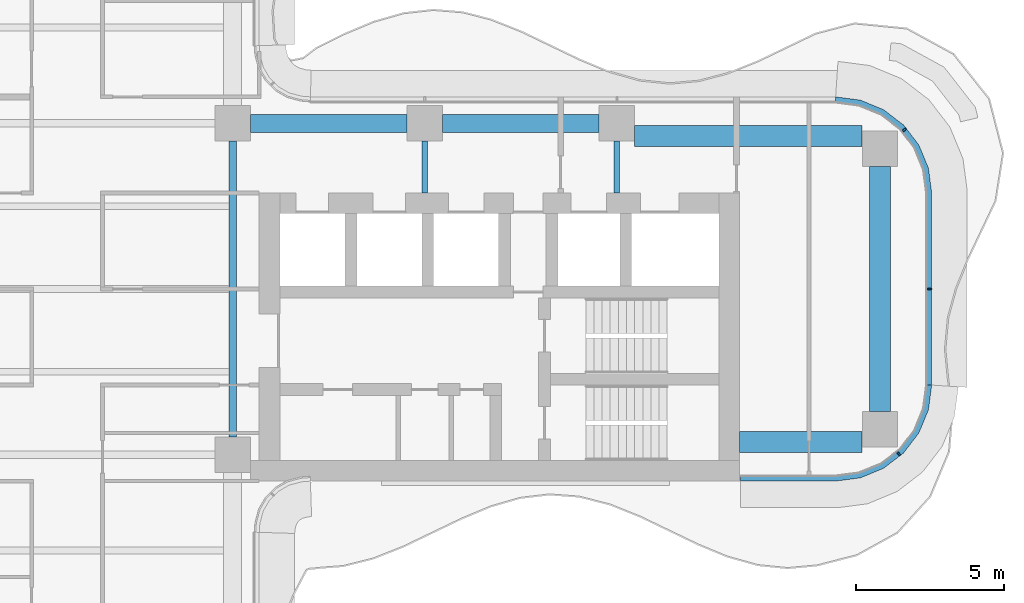
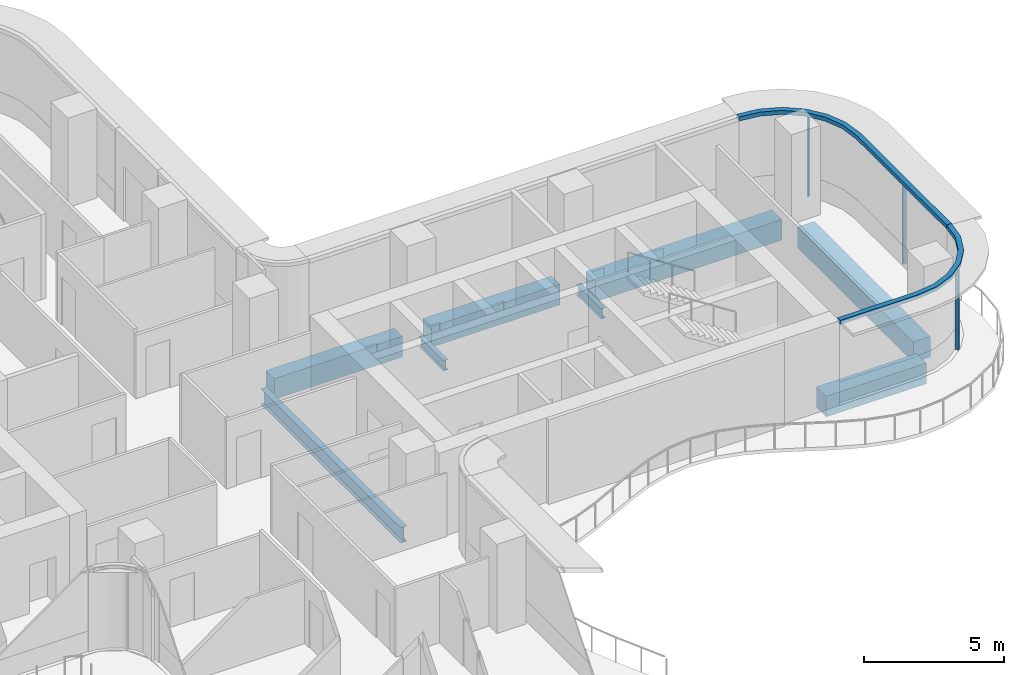
# One storey, part 6 of 17: 8 beams, 5 members, 2 elements without a shape of their own.
"""IFC4 building model written with IfcOpenShell, lengths in metres."""

import ifcopenshell
import ifcopenshell.guid

model = None  # the IFC model being written
_history = None  # IfcOwnerHistory: only IFC2X3 demands one
_inside = {}  # id of a spatial element -> (the spatial element, [elements in it])
_under = {}  # id of a project, library or spatial element -> (it, [spatial elements below it])
_declared = {}  # id of a project -> (the project, [libraries it declares])
_typed = {}  # id of a type object -> (the type object, [elements of that type])
_made_of = {}  # id of a material, layer set ... -> (it, [elements and type objects made of it])


def new_model(schema):
    """Start an empty IFC model of exactly this schema.

    Asked for "IFC4X3", IfcOpenShell would pick the latest addendum, in which some entities
    have other attributes; the version numbers below select the first issue.
    IFC2X3 requires an IfcOwnerHistory on every rooted entity: one is made here for all.
    """
    global model, _history
    if schema == "IFC4X3":
        model = ifcopenshell.file(schema_version=(4, 3, 0, 0))
    else:
        model = ifcopenshell.file(schema=schema)
    _inside.clear()
    _under.clear()
    _declared.clear()
    _typed.clear()
    _made_of.clear()
    _history = None
    if model.schema == "IFC2X3":
        org = make("IfcOrganization", Name="unknown")
        user = make(
            "IfcPersonAndOrganization",
            ThePerson=make("IfcPerson", FamilyName="unknown"),
            TheOrganization=org,
        )
        app = make(
            "IfcApplication",
            ApplicationDeveloper=org,
            Version="unknown",
            ApplicationFullName="unknown",
            ApplicationIdentifier="unknown",
        )
        _history = make(
            "IfcOwnerHistory",
            OwningUser=user,
            OwningApplication=app,
            ChangeAction="ADDED",
            CreationDate=0,
        )
    return model


def make(cls, **values):
    """One entity of the class cls with the attributes given. An attribute that is None is left unset."""
    return model.create_entity(
        cls, **{name: value for name, value in values.items() if value is not None}
    )


def rooted(cls, **values):
    """An entity with a GlobalId (a new one), such as an element, a storey or a relation."""
    return make(cls, GlobalId=ifcopenshell.guid.new(), OwnerHistory=_history, **values)


def si_unit(unit_type, name, prefix=None):
    """IfcSIUnit, for example si_unit("LENGTHUNIT", "METRE", prefix="MILLI")."""
    return make("IfcSIUnit", UnitType=unit_type, Prefix=prefix, Name=name)


def assignment(units):
    """IfcUnitAssignment: the units of a project."""
    return None if units is None else make("IfcUnitAssignment", Units=units)


def point(xyz):
    """IfcCartesianPoint."""
    return None if xyz is None else make("IfcCartesianPoint", Coordinates=xyz)


def direction(xyz):
    """IfcDirection."""
    return None if xyz is None else make("IfcDirection", DirectionRatios=xyz)


def frame(location, z_axis=None, x_axis=None):
    """IfcAxis2Placement3D, a coordinate frame: its origin and axes. An axis left out is left unset."""
    return make(
        "IfcAxis2Placement3D",
        Location=point(location),
        Axis=direction(z_axis),
        RefDirection=direction(x_axis),
    )


def frame_2d(location, x_axis=None):
    """IfcAxis2Placement2D, a coordinate frame in the plane: its origin and x axis."""
    return make(
        "IfcAxis2Placement2D", Location=point(location), RefDirection=direction(x_axis)
    )


def origin():
    """The frame at (0, 0, 0) with its axes left unset."""
    return frame((0.0, 0.0, 0.0))


def origin_2d():
    """The frame at (0, 0) in the plane with its x axis left unset."""
    return frame_2d((0.0, 0.0))


def place(relative_to, where):
    """IfcLocalPlacement: puts the frame where relative to a parent placement (None: the world)."""
    return make(
        "IfcLocalPlacement", PlacementRelTo=relative_to, RelativePlacement=where
    )


def context(
    kind, dimensions, precision=None, world=None, true_north=None, identifier=None
):
    """IfcGeometricRepresentationContext, for example the 3D "Model" context."""
    return make(
        "IfcGeometricRepresentationContext",
        ContextIdentifier=identifier,
        ContextType=kind,
        CoordinateSpaceDimension=dimensions,
        Precision=precision,
        WorldCoordinateSystem=world,
        TrueNorth=true_north,
    )


def subcontext(parent, identifier, kind, view, scale=None):
    """IfcGeometricRepresentationSubContext, for example "Body" below "Model"."""
    return make(
        "IfcGeometricRepresentationSubContext",
        ContextIdentifier=identifier,
        ContextType=kind,
        ParentContext=parent,
        TargetScale=scale,
        TargetView=view,
    )


def project(units=None, contexts=None):
    """IfcProject with its units and contexts."""
    return rooted(
        "IfcProject",
        Name="project",
        RepresentationContexts=contexts,
        UnitsInContext=assignment(units),
    )


def spatial(cls, under=None, at=None, **own):
    """A site, building, storey or space (cls), placed at a placement, below another one or the project."""
    s = rooted(cls, ObjectPlacement=at, **own)
    if under is not None:
        _under.setdefault(under.id(), (under, []))[1].append(s)
    return s


def polyline(points):
    """IfcPolyline through the points."""
    return make("IfcPolyline", Points=[point(p) for p in points])


def profile(cls, at=None, kind="AREA", **sizes):
    """A parametric profile (cls). Its sizes go by their IFC names, for example OverallWidth=200.0."""
    return make(cls, ProfileType=kind, Position=at, **sizes)


def rectangle(**sizes):
    """IfcRectangleProfileDef."""
    return profile("IfcRectangleProfileDef", **sizes)


def i_section(**sizes):
    """IfcIShapeProfileDef."""
    return profile("IfcIShapeProfileDef", **sizes)


def outline(outer, holes=None, kind="AREA"):
    """IfcArbitraryClosedProfileDef: a profile drawn as a closed curve; with holes, ...WithVoids."""
    if holes is None:
        return make("IfcArbitraryClosedProfileDef", ProfileType=kind, OuterCurve=outer)
    return make(
        "IfcArbitraryProfileDefWithVoids",
        ProfileType=kind,
        OuterCurve=outer,
        InnerCurves=holes,
    )


def extrude(swept, where, along, depth):
    """IfcExtrudedAreaSolid: the profile swept, set in the frame where, extruded along a direction by depth."""
    return make(
        "IfcExtrudedAreaSolid",
        SweptArea=swept,
        Position=where,
        ExtrudedDirection=direction(along),
        Depth=depth,
    )


def shape(context_of_items, identifier, shape_type, items):
    """IfcShapeRepresentation: the items that make up one representation, for example the "Body"."""
    return make(
        "IfcShapeRepresentation",
        ContextOfItems=context_of_items,
        RepresentationIdentifier=identifier,
        RepresentationType=shape_type,
        Items=items,
    )


def source(mapping_origin, context_of_items, identifier, shape_type, items):
    """IfcRepresentationMap: a shape defined once, which mapped items show again and again."""
    return make(
        "IfcRepresentationMap",
        MappingOrigin=mapping_origin,
        MappedRepresentation=shape(context_of_items, identifier, shape_type, items),
    )


def transform(
    local_origin,
    x_axis=None,
    y_axis=None,
    z_axis=None,
    scale=None,
    scale2=None,
    scale3=None,
    uniform=True,
):
    """IfcCartesianTransformationOperator3D, or its non-uniform kind. x_axis, y_axis, z_axis: its Axis1, 2, 3."""
    if uniform:
        return make(
            "IfcCartesianTransformationOperator3D",
            Axis1=direction(x_axis),
            Axis2=direction(y_axis),
            LocalOrigin=point(local_origin),
            Scale=scale,
            Axis3=direction(z_axis),
        )
    return make(
        "IfcCartesianTransformationOperator3DnonUniform",
        Axis1=direction(x_axis),
        Axis2=direction(y_axis),
        LocalOrigin=point(local_origin),
        Scale=scale,
        Axis3=direction(z_axis),
        Scale2=scale2,
        Scale3=scale3,
    )


def mapped(mapping_source, mapping_target):
    """IfcMappedItem: shows the shape of a source again, moved by a transform."""
    return make(
        "IfcMappedItem", MappingSource=mapping_source, MappingTarget=mapping_target
    )


def material(Name=None, Category=None):
    """IfcMaterial."""
    return make("IfcMaterial", Name=Name, Category=Category)


def layer(
    of_material, thickness, ventilated=None, Name=None, Category=None, Priority=None
):
    """IfcMaterialLayer: one layer of a wall or slab, of a material (None: an air gap)."""
    return make(
        "IfcMaterialLayer",
        Material=of_material,
        LayerThickness=thickness,
        IsVentilated=ventilated,
        Name=Name,
        Category=Category,
        Priority=Priority,
    )


def layer_set(layers, Name=None):
    """IfcMaterialLayerSet."""
    return make("IfcMaterialLayerSet", MaterialLayers=layers, LayerSetName=Name)


def material_profile(
    of_material, cross_section, Name=None, Category=None, Priority=None
):
    """IfcMaterialProfile: a cross section and its material."""
    return make(
        "IfcMaterialProfile",
        Name=Name,
        Material=of_material,
        Profile=cross_section,
        Priority=Priority,
        Category=Category,
    )


def profile_set(profiles, Name=None, composite=None):
    """IfcMaterialProfileSet."""
    return make(
        "IfcMaterialProfileSet",
        Name=Name,
        MaterialProfiles=profiles,
        CompositeProfile=composite,
    )


def made_of(thing, what):
    """Note that an element or type object is made of a material, layer set ...; save() writes the relation."""
    if what is not None:
        _made_of.setdefault(what.id(), (what, []))[1].append(thing)
    return thing


def type_object(cls, material=None, **own):
    """A type object (cls), such as IfcWallType, which elements share."""
    return made_of(rooted(cls, **own), material)


def element(
    cls,
    number,
    at=None,
    inside=None,
    cuts=None,
    type_object=None,
    material=None,
    context=None,
    identifier="Body",
    shape_type=None,
    held_by="IfcProductDefinitionShape",
    body=None,
    shapes=None,
    **own,
):
    """One element of the class cls, such as IfcWall. Its Tag is "e" and its number.

    at: its placement. inside: the storey or other place that contains it. cuts: it is an
    opening in that element (IfcRelVoidsElement). A single representation is given by context,
    identifier, shape_type and body (its items); several are given by shapes. held_by: the class
    of the entity that holds the representations. save() writes the other relations.
    """
    e = rooted(cls, Tag="e%d" % number, ObjectPlacement=at, **own)
    if body is not None:
        shapes = [shape(context, identifier, shape_type, body)]
    if shapes is not None:
        e.Representation = make(held_by, Representations=shapes)
    if inside is not None:
        _inside.setdefault(inside.id(), (inside, []))[1].append(e)
    if cuts is not None:
        rooted(
            "IfcRelVoidsElement", RelatingBuildingElement=cuts, RelatedOpeningElement=e
        )
    if type_object is not None:
        _typed.setdefault(type_object.id(), (type_object, []))[1].append(e)
    return made_of(e, material)


def aggregate(whole, parts):
    """IfcRelAggregates: a whole, such as a stair, and the parts it consists of."""
    return rooted("IfcRelAggregates", RelatingObject=whole, RelatedObjects=parts)


def save(model, path):
    """Write the relations noted so far, then the file.

    IfcRelAggregates (storeys below a building ...), IfcRelContainedInSpatialStructure (elements
    in a storey), IfcRelDefinesByType, IfcRelAssociatesMaterial and IfcRelDeclares: one each for
    every whole, place, type object, material and project.
    """
    for whole, parts in _under.values():
        aggregate(whole, parts)
    for where, things in _inside.values():
        rooted(
            "IfcRelContainedInSpatialStructure",
            RelatedElements=things,
            RelatingStructure=where,
        )
    for kind, things in _typed.values():
        rooted("IfcRelDefinesByType", RelatedObjects=things, RelatingType=kind)
    for what, things in _made_of.values():
        rooted("IfcRelAssociatesMaterial", RelatedObjects=things, RelatingMaterial=what)
    for by, libraries in _declared.values():
        rooted("IfcRelDeclares", RelatingContext=by, RelatedDefinitions=libraries)
    model.write(path)


model = new_model("IFC4")

# Units and contexts
model_context = context("Model", 3, precision=1e-05, world=origin(), true_north=direction((0.0, 1.0)))
body_context = subcontext(model_context, "Body", "Model", "MODEL_VIEW")
ifc_project = project(units=[si_unit("LENGTHUNIT", "METRE"), si_unit("AREAUNIT", "SQUARE_METRE"), si_unit("VOLUMEUNIT", "CUBIC_METRE"), si_unit("PLANEANGLEUNIT", "RADIAN"), si_unit("MASSUNIT", "GRAM", prefix="KILO")], contexts=[model_context])

# Site, building, storey
site_placement = place(None, origin())
site = spatial("IfcSite", under=ifc_project, at=site_placement, CompositionType="ELEMENT")
building_placement = place(site_placement, origin())
building = spatial("IfcBuilding", under=site, at=building_placement, Name="Trellis Farm Tower", CompositionType="ELEMENT")
storey_placement = place(building_placement, frame((0.0, 0.0, 173.699951171875)))
storey = spatial("IfcBuildingStorey", under=building, at=storey_placement, Name="L37", CompositionType="ELEMENT", Elevation=173.699951171875)

# Beams
ifc_material_1 = material(Name="Concrete C60/75", Category="concrete")
ifc_material_profile_1 = material_profile(ifc_material_1, rectangle(XDim=0.60009765625, YDim=0.89990234375, at=origin_2d()), Name="RC spandrel beam 600x900 C60/75")
ifc_profile_set_1 = profile_set([ifc_material_profile_1], Name="Concrete C60/75")
beam_type_1 = type_object("IfcBeamType", Name="RC spandrel beam 600x900 C60/75", PredefinedType="SPANDREL", material=ifc_profile_set_1)
shared_shape_1 = source(origin(), body_context, "Body", "SweptSolid", [
    extrude(rectangle(XDim=0.60009765625, YDim=0.89990234375, at=origin_2d()), origin(), (0.0, 0.0, 1.0), 5.300048828125),
])
for number, where, z_axis, x_axis, name in (
    (1, (6.199951171875, 5.60009765625, -0.64990234375), (1.0, 0.0, 0.0), (0.0, 1.0, 0.0), "Girder"),
    (2, (12.699951171875, 5.60009765625, -0.64990234375), (1.0, 0.0, 0.0), (0.0, 1.0, 0.0), "Girder"),
):
    element("IfcBeam", number, at=place(storey_placement, frame(where, z_axis=z_axis, x_axis=x_axis)), inside=storey, type_object=beam_type_1, Name=name, PredefinedType="SPANDREL", context=body_context, shape_type="MappedRepresentation", body=[
        mapped(shared_shape_1, transform((0.0, 0.0, 0.0))),
    ])
ifc_material_2 = material(Name="Steel S355", Category="steel")
ifc_material_profile_2 = material_profile(ifc_material_2, i_section(OverallWidth=0.253662109375, OverallDepth=0.68359375, WebThickness=0.012451171875, FlangeThickness=0.021728515625, FilletRadius=0.01513671875, at=origin_2d()), Name="UB 686x254x140")
ifc_profile_set_2 = profile_set([ifc_material_profile_2], Name="Steel S355")
beam_type_2 = type_object("IfcBeamType", Name="UB 686x254x140", PredefinedType="BEAM", material=ifc_profile_set_2)
shared_shape_2 = source(origin(), body_context, "Body", "SweptSolid", [
    extrude(i_section(OverallWidth=0.253662109375, OverallDepth=0.68359375, WebThickness=0.012451171875, FlangeThickness=0.021728515625, FilletRadius=0.01513671875, at=origin_2d()), origin(), (0.0, 0.0, 1.0), 10.0),
])
beam_1_placement = place(storey_placement, frame((5.60009765625, -5.0, -0.541748046875), z_axis=(0.0, 1.0, 0.0), x_axis=(-1.0, 0.0, 0.0)))
element("IfcBeam", 3, at=beam_1_placement, inside=storey, type_object=beam_type_2, Name="Girder", PredefinedType="BEAM", context=body_context, shape_type="MappedRepresentation", body=[
    mapped(shared_shape_2, transform((0.0, 0.0, 0.0))),
])
ifc_material_profile_3 = material_profile(ifc_material_1, rectangle(XDim=0.699951171875, YDim=0.89990234375, at=origin_2d()), Name="RC spandrel beam 700x900 C60/75")
ifc_profile_set_3 = profile_set([ifc_material_profile_3], Name="Concrete C60/75")
beam_type_3 = type_object("IfcBeamType", Name="RC spandrel beam 700x900 C60/75", PredefinedType="SPANDREL", material=ifc_profile_set_3)
shared_shape_3 = source(origin(), body_context, "Body", "SweptSolid", [
    extrude(rectangle(XDim=0.699951171875, YDim=0.89990234375, at=origin_2d()), origin(), (0.0, 0.0, 1.0), 8.2998046875),
])
beam_2_placement = place(storey_placement, frame((27.5, -4.14990234375, -0.64990234375), z_axis=(0.0, 1.0, 0.0), x_axis=(-1.0, 0.0, 0.0)))
element("IfcBeam", 4, at=beam_2_placement, inside=storey, type_object=beam_type_3, Name="Girder", PredefinedType="SPANDREL", context=body_context, shape_type="MappedRepresentation", body=[
    mapped(shared_shape_3, transform((0.0, 0.0, 0.0))),
])
ifc_material_profile_4 = material_profile(ifc_material_2, i_section(OverallWidth=0.1904296875, OverallDepth=0.45703125, WebThickness=0.009033203125, FlangeThickness=0.014404296875, FilletRadius=0.01025390625, at=origin_2d()), Name="UB 457x191x74")
ifc_profile_set_4 = profile_set([ifc_material_profile_4], Name="Steel S355")
beam_type_4 = type_object("IfcBeamType", Name="UB 457x191x74", PredefinedType="BEAM", material=ifc_profile_set_4)
shared_shape_4 = source(origin(), body_context, "Body", "SweptSolid", [
    extrude(i_section(OverallWidth=0.1904296875, OverallDepth=0.45703125, WebThickness=0.009033203125, FlangeThickness=0.014404296875, FilletRadius=0.01025390625, at=origin_2d()), origin(), (0.0, 0.0, 1.0), 1.75),
])
for number, where, z_axis, x_axis, name in (
    (5, (12.10009765625, 3.25, -0.428466796875), (0.0, 1.0, 0.0), (-1.0, 0.0, 0.0), "Girder"),
    (6, (18.60009765625, 3.25, -0.428466796875), (0.0, 1.0, 0.0), (-1.0, 0.0, 0.0), "Girder"),
):
    element("IfcBeam", number, at=place(storey_placement, frame(where, z_axis=z_axis, x_axis=x_axis)), inside=storey, type_object=beam_type_4, Name=name, PredefinedType="BEAM", context=body_context, shape_type="MappedRepresentation", body=[
        mapped(shared_shape_4, transform((0.0, 0.0, 0.0))),
    ])
shared_shape_5 = source(origin(), body_context, "Body", "SweptSolid", [
    extrude(rectangle(XDim=0.699951171875, YDim=0.89990234375, at=origin_2d()), origin(), (0.0, 0.0, 1.0), 7.699951171875),
])
beam_3_placement = place(storey_placement, frame((19.199951171875, 5.175048828125, -0.64990234375), z_axis=(1.0, 0.0, 0.0), x_axis=(0.0, 1.0, 0.0)))
element("IfcBeam", 7, at=beam_3_placement, inside=storey, type_object=beam_type_3, Name="Girder", PredefinedType="SPANDREL", context=body_context, shape_type="MappedRepresentation", body=[
    mapped(shared_shape_5, transform((0.0, 0.0, 0.0))),
])
shared_shape_6 = source(origin(), body_context, "Body", "SweptSolid", [
    extrude(rectangle(XDim=0.699951171875, YDim=0.89990234375, at=origin_2d()), origin(), (0.0, 0.0, 1.0), 4.14990234375),
])
beam_4_placement = place(storey_placement, frame((22.75, -5.175048828125, -0.64990234375), z_axis=(1.0, 0.0, 0.0), x_axis=(0.0, 1.0, 0.0)))
element("IfcBeam", 8, at=beam_4_placement, inside=storey, type_object=beam_type_3, Name="Girder", PredefinedType="SPANDREL", context=body_context, shape_type="MappedRepresentation", body=[
    mapped(shared_shape_6, transform((0.0, 0.0, 0.0))),
])

# Curtain wall, member
ifc_material_3 = material(Name="Aluminium and glass curtain wall", Category="aluminium")
ifc_layer_1 = layer(ifc_material_3, 0.18994140625)
ifc_layer_set_1 = layer_set([ifc_layer_1], Name="RIBBON CURTAIN WALL CW1")
curtain_wall_type = type_object("IfcCurtainWallType", Name="RIBBON CURTAIN WALL CW1", PredefinedType="NOTDEFINED", material=ifc_layer_set_1)
placement_1 = place(storey_placement, origin())
curtain_wall_1 = element("IfcCurtainWall", 9, at=placement_1, inside=storey, type_object=curtain_wall_type, Name="CW1 005", PredefinedType="NOTDEFINED")
ifc_material_4 = material(Name="Aluminium extrusion 6063-T6", Category="aluminium")
ifc_layer_2 = layer(ifc_material_4, 0.199951171875)
ifc_layer_set_2 = layer_set([ifc_layer_2], Name="Aluminium extrusion 6063-T6")
member_type_1 = type_object("IfcMemberType", Name="CW1 TRANSOM 200x180", PredefinedType="USERDEFINED", material=ifc_layer_set_2)
shared_shape_7 = source(origin(), body_context, "Body", "SweptSolid", [
    extrude(outline(polyline([(22.780029296875, -6.5), (26.0, -6.5), (26.841064453125, -6.38916015625), (27.625, -6.064697265625), (28.298095703125, -5.548095703125), (28.814697265625, -4.875), (29.13916015625, -4.091064453125), (29.25, -3.25), (29.050048828125, -3.23681640625), (28.9443359375, -4.0390625), (28.639892578125, -4.774169921875), (28.155517578125, -5.405517578125), (27.524169921875, -5.889892578125), (26.7890625, -6.1943359375), (25.98681640625, -6.300048828125), (22.780029296875, -6.300048828125), (22.780029296875, -6.5)])), origin(), (0.0, 0.0, 1.0), 0.179931640625),
])
placement_2 = place(storey_placement, frame((0.0, 0.0, 3.52001953125)))
member_1 = element("IfcMember", 10, at=placement_2, type_object=member_type_1, Name="TR1 005", ObjectType="TRANSOM", PredefinedType="USERDEFINED", context=body_context, shape_type="MappedRepresentation", body=[
    mapped(shared_shape_7, transform((0.0, 0.0, 0.0))),
])

curtain_wall_2 = element("IfcCurtainWall", 11, at=placement_1, inside=storey, type_object=curtain_wall_type, Name="CW1 006", PredefinedType="NOTDEFINED")
shared_shape_8 = source(origin(), body_context, "Body", "SweptSolid", [
    extrude(outline(polyline([(29.25, -3.25), (29.25, 3.25), (29.13916015625, 4.091064453125), (28.814697265625, 4.875), (28.298095703125, 5.548095703125), (27.625, 6.064697265625), (26.841064453125, 6.38916015625), (26.0, 6.5), (25.98681640625, 6.300048828125), (26.7890625, 6.1943359375), (27.524169921875, 5.889892578125), (28.155517578125, 5.405517578125), (28.639892578125, 4.774169921875), (28.9443359375, 4.0390625), (29.050048828125, 3.23681640625), (29.050048828125, -3.23681640625), (29.25, -3.25)])), origin(), (0.0, 0.0, 1.0), 0.179931640625),
])
member_2 = element("IfcMember", 12, at=placement_2, type_object=member_type_1, Name="TR1 006", ObjectType="TRANSOM", PredefinedType="USERDEFINED", context=body_context, shape_type="MappedRepresentation", body=[
    mapped(shared_shape_8, transform((0.0, 0.0, 0.0))),
])

# Member
ifc_material_profile_5 = material_profile(ifc_material_4, rectangle(XDim=0.06005859375, YDim=0.14990234375, at=origin_2d()), Name="MULLION 60x150")
ifc_profile_set_5 = profile_set([ifc_material_profile_5], Name="Aluminium extrusion 6063-T6")
member_type_2 = type_object("IfcMemberType", Name="CW1 MULLION 60x150", PredefinedType="MULLION", material=ifc_profile_set_5)
shared_shape_9 = source(origin(), body_context, "Body", "SweptSolid", [
    extrude(rectangle(XDim=0.06005859375, YDim=0.14990234375, at=origin_2d()), origin(), (0.0, 0.0, 1.0), 3.52001953125),
])
member_3_placement = place(storey_placement, frame((28.135498046875, -5.578369140625, 0.0), z_axis=(0.0, 0.0, 1.0), x_axis=(0.793353340291, 0.608761429009, 0.0)))
member_3 = element("IfcMember", 13, at=member_3_placement, type_object=member_type_2, Name="MU1 005-01", PredefinedType="MULLION", context=body_context, shape_type="MappedRepresentation", body=[
    mapped(shared_shape_9, transform((0.0, 0.0, 0.0))),
])

aggregate(curtain_wall_1, [member_3, member_1])

member_4_placement = place(storey_placement, frame((29.175048828125, 0.0, 0.0), z_axis=(0.0, 0.0, 1.0), x_axis=(0.0, 1.0, 0.0)))
member_4 = element("IfcMember", 14, at=member_4_placement, type_object=member_type_2, Name="MU1 006-01", PredefinedType="MULLION", context=body_context, shape_type="MappedRepresentation", body=[
    mapped(shared_shape_9, transform((0.0, 0.0, 0.0))),
])

member_5_placement = place(storey_placement, frame((28.328369140625, 5.385498046875, 0.0), z_axis=(0.0, 0.0, 1.0), x_axis=(-0.608761429009, 0.793353340291, 0.0)))
member_5 = element("IfcMember", 15, at=member_5_placement, type_object=member_type_2, Name="MU1 006-02", PredefinedType="MULLION", context=body_context, shape_type="MappedRepresentation", body=[
    mapped(shared_shape_9, transform((0.0, 0.0, 0.0))),
])

aggregate(curtain_wall_2, [member_4, member_5, member_2])

save(model, "model.ifc")
